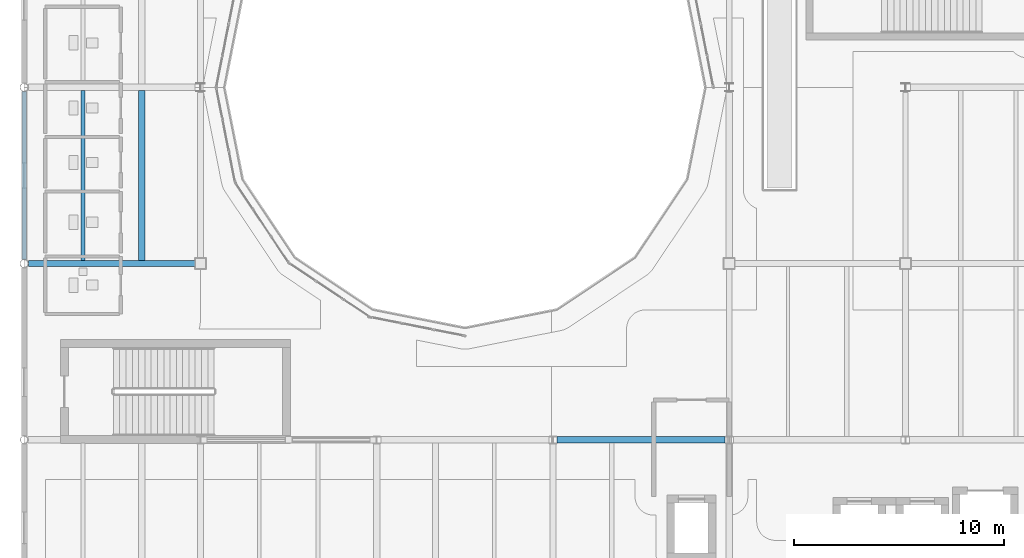
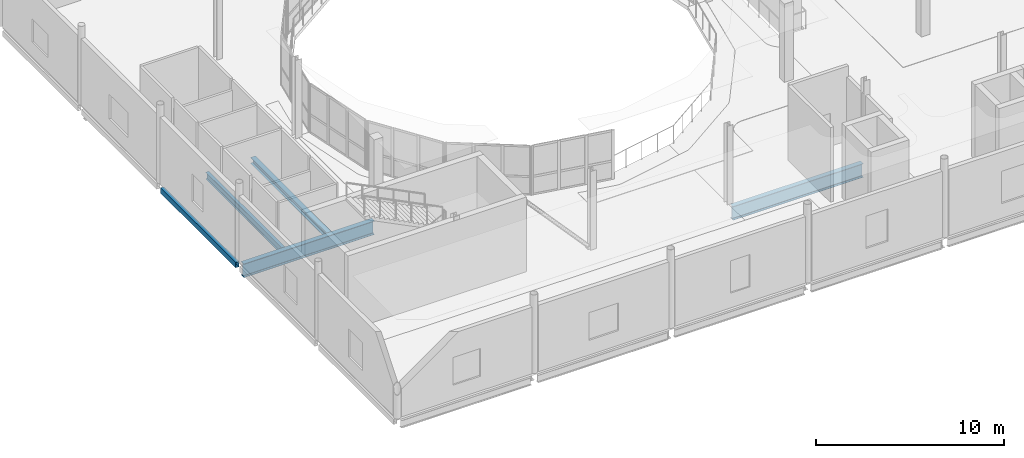
# One storey, part 14 of 103: 5 beams.
"""IFC4 building model written with IfcOpenShell, lengths in metres."""

from ifc_helpers import new_model, si_unit, direction, frame, origin, origin_2d, place, context, subcontext, project, spatial, hollow_rectangle, i_section, extrude, material, material_profile, profile_set, type_object, element, save


model = new_model("IFC4")

# Units and contexts
model_context = context("Model", 3, precision=1e-05, world=origin(), true_north=direction((0.0, 1.0)))
body_context = subcontext(model_context, "Body", "Model", "MODEL_VIEW")
ifc_project = project(units=[si_unit("LENGTHUNIT", "METRE"), si_unit("AREAUNIT", "SQUARE_METRE"), si_unit("VOLUMEUNIT", "CUBIC_METRE"), si_unit("PLANEANGLEUNIT", "RADIAN"), si_unit("MASSUNIT", "GRAM", prefix="KILO"), si_unit("THERMODYNAMICTEMPERATUREUNIT", "KELVIN")], contexts=[model_context])

# Site, building, storey
site_placement = place(None, origin())
site = spatial("IfcSite", under=ifc_project, at=site_placement, CompositionType="ELEMENT")
building_placement = place(site_placement, origin())
building = spatial("IfcBuilding", under=site, at=building_placement, Name="Lustrewick Department Store", CompositionType="ELEMENT")
storey_placement = place(building_placement, frame((0.0, 0.0, 16.5)))
storey = spatial("IfcBuildingStorey", under=building, at=storey_placement, Name="L04", CompositionType="ELEMENT", Elevation=16.5)

# Beams
ifc_material_1 = material(Name="Structural steel Q355B", Category="steel")
ifc_material_profile_1 = material_profile(ifc_material_1, i_section(OverallWidth=0.199951171875, OverallDepth=0.449951171875, WebThickness=0.009033203125, FlangeThickness=0.013916015625, FilletRadius=0.01611328125, at=origin_2d()), Name="HN 450x200x9x14")
ifc_profile_set_1 = profile_set([ifc_material_profile_1], Name="Structural steel Q355B")
beam_type_1 = type_object("IfcBeamType", Name="B03", PredefinedType="JOIST", material=ifc_profile_set_1)
beam_1_placement = place(storey_placement, frame((11.199951171875, 58.949462890625, -0.47998046875), z_axis=(0.0, 1.0, 0.0), x_axis=(-1.0, 0.0, 0.0)))
element("IfcBeam", 1, at=beam_1_placement, inside=storey, type_object=beam_type_1, Name="L04 V1 Secondary Joist B03", PredefinedType="JOIST", context=body_context, shape_type="SweptSolid", body=[
    extrude(i_section(OverallWidth=0.199951171875, OverallDepth=0.449951171875, WebThickness=0.009033203125, FlangeThickness=0.013916015625, FilletRadius=0.01611328125, at=origin_2d()), origin(), (0.0, 0.0, 1.0), 8.1005859375),
])
ifc_material_profile_2 = material_profile(ifc_material_1, i_section(OverallWidth=0.300048828125, OverallDepth=0.389892578125, WebThickness=0.010009765625, FlangeThickness=0.01611328125, FilletRadius=0.01806640625, at=origin_2d()), Name="HM 390x300x10x16")
ifc_profile_set_2 = profile_set([ifc_material_profile_2], Name="Structural steel Q355B")
beam_type_2 = type_object("IfcBeamType", Name="B07", PredefinedType="JOIST", material=ifc_profile_set_2)
beam_2_placement = place(storey_placement, frame((14.0, 58.949462890625, -0.449951171875), z_axis=(0.0, 1.0, 0.0), x_axis=(-1.0, 0.0, 0.0)))
element("IfcBeam", 2, at=beam_2_placement, inside=storey, type_object=beam_type_2, Name="L04 V1 Secondary Joist B07", PredefinedType="JOIST", context=body_context, shape_type="SweptSolid", body=[
    extrude(i_section(OverallWidth=0.300048828125, OverallDepth=0.389892578125, WebThickness=0.010009765625, FlangeThickness=0.01611328125, FilletRadius=0.01806640625, at=origin_2d()), origin(), (0.0, 0.0, 1.0), 8.1005859375),
])
ifc_material_2 = material(Name="Structural steel Q355C", Category="steel")
ifc_material_profile_3 = material_profile(ifc_material_2, i_section(OverallWidth=0.299072265625, OverallDepth=0.889892578125, WebThickness=0.014892578125, FlangeThickness=0.02294921875, FilletRadius=0.02392578125, at=origin_2d()), Name="HN 890x299x15x23")
ifc_profile_set_3 = profile_set([ifc_material_profile_3], Name="Structural steel Q355C")
beam_type_3 = type_object("IfcBeamType", Name="G03", PredefinedType="BEAM", material=ifc_profile_set_3)
beam_3_placement = place(storey_placement, frame((33.801025390625, 50.39990234375, -0.699951171875), z_axis=(1.0, 0.0, 0.0), x_axis=(0.0, 1.0, 0.0)))
element("IfcBeam", 3, at=beam_3_placement, inside=storey, type_object=beam_type_3, Name="L04 V1 Girder G03", PredefinedType="BEAM", context=body_context, shape_type="SweptSolid", body=[
    extrude(i_section(OverallWidth=0.299072265625, OverallDepth=0.889892578125, WebThickness=0.014892578125, FlangeThickness=0.02294921875, FilletRadius=0.02392578125, at=origin_2d()), origin(), (0.0, 0.0, 1.0), 7.998046875),
])
beam_4_placement = place(storey_placement, frame((8.60302734375, 58.800048828125, -0.699951171875), z_axis=(1.0, 0.0, 0.0), x_axis=(0.0, 1.0, 0.0)))
element("IfcBeam", 4, at=beam_4_placement, inside=storey, type_object=beam_type_3, Name="L04 V1 Girder G03", PredefinedType="BEAM", context=body_context, shape_type="SweptSolid", body=[
    extrude(i_section(OverallWidth=0.299072265625, OverallDepth=0.889892578125, WebThickness=0.014892578125, FlangeThickness=0.02294921875, FilletRadius=0.02392578125, at=origin_2d()), origin(), (0.0, 0.0, 1.0), 8.02197265625),
])
ifc_material_profile_4 = material_profile(ifc_material_2, hollow_rectangle(XDim=0.199951171875, YDim=0.35009765625, WallThickness=0.011962890625, at=origin_2d()), Name="RHS 350x200x12")
ifc_profile_set_4 = profile_set([ifc_material_profile_4], Name="Structural steel Q355C")
beam_type_4 = type_object("IfcBeamType", Name="SP03", PredefinedType="SPANDREL", material=ifc_profile_set_4)
beam_5_placement = place(storey_placement, frame((8.39990234375, 59.0029296875, -0.429931640625), z_axis=(0.0, 1.0, 0.0), x_axis=(-1.0, 0.0, 0.0)))
element("IfcBeam", 5, at=beam_5_placement, inside=storey, type_object=beam_type_4, Name="L04 V1 Girder SP03", PredefinedType="SPANDREL", context=body_context, shape_type="SweptSolid", body=[
    extrude(hollow_rectangle(XDim=0.199951171875, YDim=0.35009765625, WallThickness=0.011962890625, at=origin_2d()), origin(), (0.0, 0.0, 1.0), 7.994140625),
])

save(model, "model.ifc")
